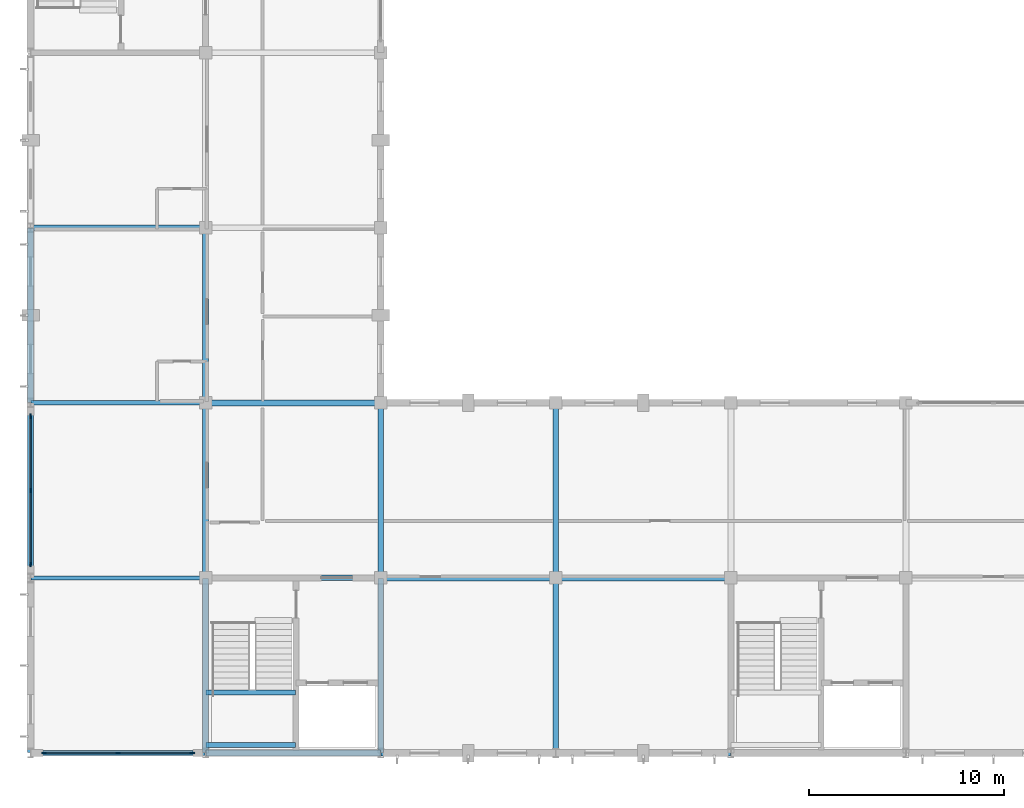
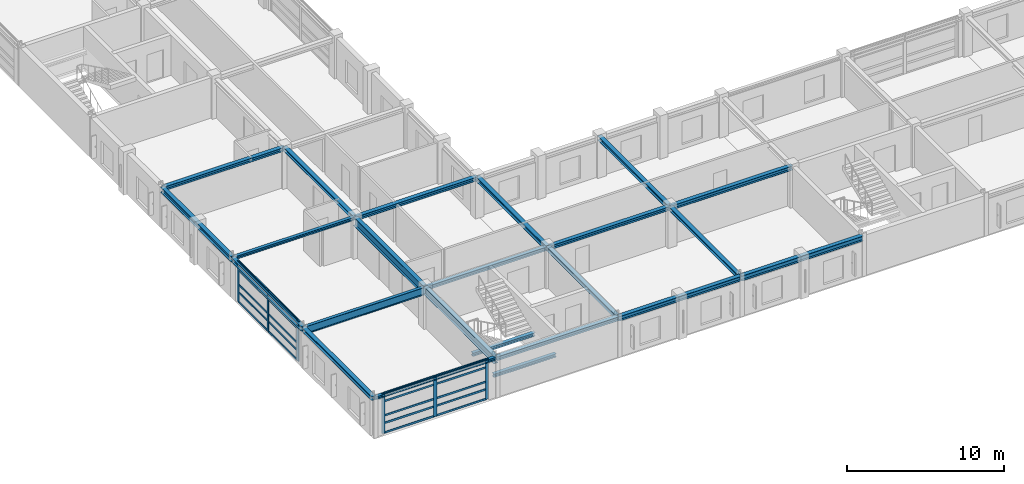
# One storey, part 15 of 91: 26 members, 23 beams, 2 elements without a shape of their own.
"""IFC4 building model written with IfcOpenShell, lengths in metres."""

from ifc_helpers import new_model, si_unit, direction, frame, origin, origin_2d, place, context, subcontext, project, spatial, rectangle, i_section, extrude, material, material_profile, profile_set, type_object, element, aggregate, save


model = new_model("IFC4")

# Units and contexts
model_context = context("Model", 3, precision=1e-05, world=origin(), true_north=direction((0.0, 1.0)))
body_context = subcontext(model_context, "Body", "Model", "MODEL_VIEW")
ifc_project = project(units=[si_unit("LENGTHUNIT", "METRE"), si_unit("AREAUNIT", "SQUARE_METRE"), si_unit("VOLUMEUNIT", "CUBIC_METRE"), si_unit("PLANEANGLEUNIT", "RADIAN"), si_unit("MASSUNIT", "GRAM", prefix="KILO")], contexts=[model_context])

# Site, building, storey
site_placement = place(None, origin())
site = spatial("IfcSite", under=ifc_project, at=site_placement, CompositionType="ELEMENT")
building_placement = place(site_placement, origin())
building = spatial("IfcBuilding", under=site, at=building_placement, Name="Palais des Congres Ocreval", CompositionType="ELEMENT")
storey_placement = place(building_placement, frame((0.0, 0.0, 8.159912109375)))
storey = spatial("IfcBuildingStorey", under=building, at=storey_placement, Name="L02", CompositionType="ELEMENT", Elevation=8.159912109375)

# Beam
ifc_material_1 = material(Name="Steel S355", Category="steel")
ifc_material_profile_1 = material_profile(ifc_material_1, i_section(OverallWidth=0.219970703125, OverallDepth=0.60009765625, WebThickness=0.011962890625, FlangeThickness=0.01904296875, at=origin_2d()), Name="IPE 600")
ifc_profile_set_1 = profile_set([ifc_material_profile_1], Name="Steel S355")
beam_type_1 = type_object("IfcBeamType", Name="Composite Beam IPE 600 Steel S355", PredefinedType="BEAM", material=ifc_profile_set_1)
beam_1_placement = place(storey_placement, frame((0.02001953125, 9.0, 2.800048828125), z_axis=(1.0, 0.0, 0.0), x_axis=(0.0, 1.0, 0.0)))
element("IfcBeam", 1, at=beam_1_placement, inside=storey, type_object=beam_type_1, Name="Beam B06 L02", PredefinedType="BEAM", context=body_context, shape_type="SweptSolid", body=[
    extrude(i_section(OverallWidth=0.219970703125, OverallDepth=0.60009765625, WebThickness=0.011962890625, FlangeThickness=0.01904296875, at=origin_2d()), origin(), (0.0, 0.0, 1.0), 8.9599609375),
])

# Curtain wall, members
ifc_material_2 = material(Name="Anodized bronze aluminium and low-E glass", Category="glass")
curtain_wall_type = type_object("IfcCurtainWallType", Name="Unitised Curtain Wall 7900x3120", PredefinedType="USERDEFINED", material=ifc_material_2)
curtain_wall_1_placement = place(storey_placement, origin())
curtain_wall_1 = element("IfcCurtainWall", 2, at=curtain_wall_1_placement, inside=storey, type_object=curtain_wall_type, Name="Unitised Curtain Wall CW03 L02", ObjectType="UNITISED CURTAIN WALL", PredefinedType="USERDEFINED")
ifc_material_3 = material(Name="Anodized bronze aluminium", Category="aluminium")
ifc_material_profile_2 = material_profile(ifc_material_3, rectangle(XDim=0.074951171875, YDim=0.239990234375, at=origin_2d()), Name="ALU 75x240")
ifc_profile_set_2 = profile_set([ifc_material_profile_2], Name="Anodized bronze aluminium")
member_type_1 = type_object("IfcMemberType", Name="Curtain Wall Mullion ALU 75x240", PredefinedType="MULLION", material=ifc_profile_set_2)
member_1_placement = place(storey_placement, frame((8.3125, 0.0, 0.0), z_axis=(0.0, 0.0, 1.0), x_axis=(0.0, -1.0, 0.0)))
member_1 = element("IfcMember", 3, at=member_1_placement, type_object=member_type_1, Name="Curtain Wall Mullion ML01", PredefinedType="MULLION", context=body_context, shape_type="SweptSolid", body=[
    extrude(rectangle(XDim=0.074951171875, YDim=0.239990234375, at=origin_2d()), origin(), (0.0, 0.0, 1.0), 3.14013671875),
])
member_2_placement = place(storey_placement, frame((4.5, 0.0, 0.0), z_axis=(0.0, 0.0, 1.0), x_axis=(0.0, -1.0, 0.0)))
member_2 = element("IfcMember", 4, at=member_2_placement, type_object=member_type_1, Name="Curtain Wall Mullion ML01", PredefinedType="MULLION", context=body_context, shape_type="SweptSolid", body=[
    extrude(rectangle(XDim=0.074951171875, YDim=0.239990234375, at=origin_2d()), origin(), (0.0, 0.0, 1.0), 3.14013671875),
])
member_3_placement = place(storey_placement, frame((0.6875, 0.0, 0.0), z_axis=(0.0, 0.0, 1.0), x_axis=(0.0, -1.0, 0.0)))
member_3 = element("IfcMember", 5, at=member_3_placement, type_object=member_type_1, Name="Curtain Wall Mullion ML01", PredefinedType="MULLION", context=body_context, shape_type="SweptSolid", body=[
    extrude(rectangle(XDim=0.074951171875, YDim=0.239990234375, at=origin_2d()), origin(), (0.0, 0.0, 1.0), 3.14013671875),
])

curtain_wall_2_placement = place(storey_placement, origin())
curtain_wall_2 = element("IfcCurtainWall", 6, at=curtain_wall_2_placement, inside=storey, type_object=curtain_wall_type, Name="Unitised Curtain Wall CW03 L02", ObjectType="UNITISED CURTAIN WALL", PredefinedType="USERDEFINED")
member_4_placement = place(storey_placement, frame((0.0, 9.6875, 0.0), z_axis=(0.0, 0.0, 1.0), x_axis=(-1.0, 0.0, 0.0)))
member_4 = element("IfcMember", 7, at=member_4_placement, type_object=member_type_1, Name="Curtain Wall Mullion ML01", PredefinedType="MULLION", context=body_context, shape_type="SweptSolid", body=[
    extrude(rectangle(XDim=0.074951171875, YDim=0.239990234375, at=origin_2d()), origin(), (0.0, 0.0, 1.0), 3.14013671875),
])
member_5_placement = place(storey_placement, frame((0.0, 13.5, 0.0), z_axis=(0.0, 0.0, 1.0), x_axis=(-1.0, 0.0, 0.0)))
member_5 = element("IfcMember", 8, at=member_5_placement, type_object=member_type_1, Name="Curtain Wall Mullion ML01", PredefinedType="MULLION", context=body_context, shape_type="SweptSolid", body=[
    extrude(rectangle(XDim=0.074951171875, YDim=0.239990234375, at=origin_2d()), origin(), (0.0, 0.0, 1.0), 3.14013671875),
])
member_6_placement = place(storey_placement, frame((0.0, 17.3125, 0.0), z_axis=(0.0, 0.0, 1.0), x_axis=(-1.0, 0.0, 0.0)))
member_6 = element("IfcMember", 9, at=member_6_placement, type_object=member_type_1, Name="Curtain Wall Mullion ML01", PredefinedType="MULLION", context=body_context, shape_type="SweptSolid", body=[
    extrude(rectangle(XDim=0.074951171875, YDim=0.239990234375, at=origin_2d()), origin(), (0.0, 0.0, 1.0), 3.14013671875),
])

# Member
ifc_material_profile_3 = material_profile(ifc_material_3, rectangle(XDim=0.06005859375, YDim=0.14990234375, at=origin_2d()), Name="ALU 60x150")
ifc_profile_set_3 = profile_set([ifc_material_profile_3], Name="Anodized bronze aluminium")
member_type_2 = type_object("IfcMemberType", Name="Curtain Wall Transom ALU 60x150", PredefinedType="USERDEFINED", material=ifc_profile_set_3)
member_7_placement = place(storey_placement, frame((8.27490234375, 0.0, 0.030029296875), z_axis=(-1.0, 0.0, 0.0), x_axis=(0.0, -1.0, 0.0)))
member_7 = element("IfcMember", 10, at=member_7_placement, type_object=member_type_2, Name="Curtain Wall Transom TR01", ObjectType="TRANSOM", PredefinedType="USERDEFINED", context=body_context, shape_type="SweptSolid", body=[
    extrude(rectangle(XDim=0.06005859375, YDim=0.14990234375, at=origin_2d()), origin(), (0.0, 0.0, 1.0), 3.7373046875),
])

member_8_placement = place(storey_placement, frame((8.27490234375, 0.0, 0.780029296875), z_axis=(-1.0, 0.0, 0.0), x_axis=(0.0, -1.0, 0.0)))
member_8 = element("IfcMember", 11, at=member_8_placement, type_object=member_type_2, Name="Curtain Wall Transom TR01", ObjectType="TRANSOM", PredefinedType="USERDEFINED", context=body_context, shape_type="SweptSolid", body=[
    extrude(rectangle(XDim=0.06005859375, YDim=0.14990234375, at=origin_2d()), origin(), (0.0, 0.0, 1.0), 3.7373046875),
])

member_9_placement = place(storey_placement, frame((8.27490234375, 0.0, 1.36962890625), z_axis=(-1.0, 0.0, 0.0), x_axis=(0.0, -1.0, 0.0)))
member_9 = element("IfcMember", 12, at=member_9_placement, type_object=member_type_2, Name="Curtain Wall Transom TR01", ObjectType="TRANSOM", PredefinedType="USERDEFINED", context=body_context, shape_type="SweptSolid", body=[
    extrude(rectangle(XDim=0.06005859375, YDim=0.14990234375, at=origin_2d()), origin(), (0.0, 0.0, 1.0), 3.7373046875),
])

member_10_placement = place(storey_placement, frame((8.27490234375, 0.0, 2.489990234375), z_axis=(-1.0, 0.0, 0.0), x_axis=(0.0, -1.0, 0.0)))
member_10 = element("IfcMember", 13, at=member_10_placement, type_object=member_type_2, Name="Curtain Wall Transom TR01", ObjectType="TRANSOM", PredefinedType="USERDEFINED", context=body_context, shape_type="SweptSolid", body=[
    extrude(rectangle(XDim=0.06005859375, YDim=0.14990234375, at=origin_2d()), origin(), (0.0, 0.0, 1.0), 3.7373046875),
])

member_11_placement = place(storey_placement, frame((8.27490234375, 0.0, 3.110107421875), z_axis=(-1.0, 0.0, 0.0), x_axis=(0.0, -1.0, 0.0)))
member_11 = element("IfcMember", 14, at=member_11_placement, type_object=member_type_2, Name="Curtain Wall Transom TR01", ObjectType="TRANSOM", PredefinedType="USERDEFINED", context=body_context, shape_type="SweptSolid", body=[
    extrude(rectangle(XDim=0.06005859375, YDim=0.14990234375, at=origin_2d()), origin(), (0.0, 0.0, 1.0), 3.7373046875),
])

member_12_placement = place(storey_placement, frame((4.46240234375, 0.0, 0.030029296875), z_axis=(-1.0, 0.0, 0.0), x_axis=(0.0, -1.0, 0.0)))
member_12 = element("IfcMember", 15, at=member_12_placement, type_object=member_type_2, Name="Curtain Wall Transom TR01", ObjectType="TRANSOM", PredefinedType="USERDEFINED", context=body_context, shape_type="SweptSolid", body=[
    extrude(rectangle(XDim=0.06005859375, YDim=0.14990234375, at=origin_2d()), origin(), (0.0, 0.0, 1.0), 3.7373046875),
])

member_13_placement = place(storey_placement, frame((4.46240234375, 0.0, 0.780029296875), z_axis=(-1.0, 0.0, 0.0), x_axis=(0.0, -1.0, 0.0)))
member_13 = element("IfcMember", 16, at=member_13_placement, type_object=member_type_2, Name="Curtain Wall Transom TR01", ObjectType="TRANSOM", PredefinedType="USERDEFINED", context=body_context, shape_type="SweptSolid", body=[
    extrude(rectangle(XDim=0.06005859375, YDim=0.14990234375, at=origin_2d()), origin(), (0.0, 0.0, 1.0), 3.7373046875),
])

member_14_placement = place(storey_placement, frame((4.46240234375, 0.0, 1.36962890625), z_axis=(-1.0, 0.0, 0.0), x_axis=(0.0, -1.0, 0.0)))
member_14 = element("IfcMember", 17, at=member_14_placement, type_object=member_type_2, Name="Curtain Wall Transom TR01", ObjectType="TRANSOM", PredefinedType="USERDEFINED", context=body_context, shape_type="SweptSolid", body=[
    extrude(rectangle(XDim=0.06005859375, YDim=0.14990234375, at=origin_2d()), origin(), (0.0, 0.0, 1.0), 3.7373046875),
])

member_15_placement = place(storey_placement, frame((4.46240234375, 0.0, 2.489990234375), z_axis=(-1.0, 0.0, 0.0), x_axis=(0.0, -1.0, 0.0)))
member_15 = element("IfcMember", 18, at=member_15_placement, type_object=member_type_2, Name="Curtain Wall Transom TR01", ObjectType="TRANSOM", PredefinedType="USERDEFINED", context=body_context, shape_type="SweptSolid", body=[
    extrude(rectangle(XDim=0.06005859375, YDim=0.14990234375, at=origin_2d()), origin(), (0.0, 0.0, 1.0), 3.7373046875),
])

member_16_placement = place(storey_placement, frame((4.46240234375, 0.0, 3.110107421875), z_axis=(-1.0, 0.0, 0.0), x_axis=(0.0, -1.0, 0.0)))
member_16 = element("IfcMember", 19, at=member_16_placement, type_object=member_type_2, Name="Curtain Wall Transom TR01", ObjectType="TRANSOM", PredefinedType="USERDEFINED", context=body_context, shape_type="SweptSolid", body=[
    extrude(rectangle(XDim=0.06005859375, YDim=0.14990234375, at=origin_2d()), origin(), (0.0, 0.0, 1.0), 3.7373046875),
])

aggregate(curtain_wall_1, [member_1, member_2, member_3, member_7, member_8, member_9, member_10, member_11, member_12, member_13, member_14, member_15, member_16])

member_17_placement = place(storey_placement, frame((0.0, 9.72509765625, 0.030029296875), z_axis=(0.0, 1.0, 0.0), x_axis=(-1.0, 0.0, 0.0)))
member_17 = element("IfcMember", 20, at=member_17_placement, type_object=member_type_2, Name="Curtain Wall Transom TR01", ObjectType="TRANSOM", PredefinedType="USERDEFINED", context=body_context, shape_type="SweptSolid", body=[
    extrude(rectangle(XDim=0.06005859375, YDim=0.14990234375, at=origin_2d()), origin(), (0.0, 0.0, 1.0), 3.7373046875),
])

member_18_placement = place(storey_placement, frame((0.0, 9.72509765625, 0.780029296875), z_axis=(0.0, 1.0, 0.0), x_axis=(-1.0, 0.0, 0.0)))
member_18 = element("IfcMember", 21, at=member_18_placement, type_object=member_type_2, Name="Curtain Wall Transom TR01", ObjectType="TRANSOM", PredefinedType="USERDEFINED", context=body_context, shape_type="SweptSolid", body=[
    extrude(rectangle(XDim=0.06005859375, YDim=0.14990234375, at=origin_2d()), origin(), (0.0, 0.0, 1.0), 3.7373046875),
])

member_19_placement = place(storey_placement, frame((0.0, 9.72509765625, 1.36962890625), z_axis=(0.0, 1.0, 0.0), x_axis=(-1.0, 0.0, 0.0)))
member_19 = element("IfcMember", 22, at=member_19_placement, type_object=member_type_2, Name="Curtain Wall Transom TR01", ObjectType="TRANSOM", PredefinedType="USERDEFINED", context=body_context, shape_type="SweptSolid", body=[
    extrude(rectangle(XDim=0.06005859375, YDim=0.14990234375, at=origin_2d()), origin(), (0.0, 0.0, 1.0), 3.7373046875),
])

member_20_placement = place(storey_placement, frame((0.0, 9.72509765625, 2.489990234375), z_axis=(0.0, 1.0, 0.0), x_axis=(-1.0, 0.0, 0.0)))
member_20 = element("IfcMember", 23, at=member_20_placement, type_object=member_type_2, Name="Curtain Wall Transom TR01", ObjectType="TRANSOM", PredefinedType="USERDEFINED", context=body_context, shape_type="SweptSolid", body=[
    extrude(rectangle(XDim=0.06005859375, YDim=0.14990234375, at=origin_2d()), origin(), (0.0, 0.0, 1.0), 3.7373046875),
])

member_21_placement = place(storey_placement, frame((0.0, 9.72509765625, 3.110107421875), z_axis=(0.0, 1.0, 0.0), x_axis=(-1.0, 0.0, 0.0)))
member_21 = element("IfcMember", 24, at=member_21_placement, type_object=member_type_2, Name="Curtain Wall Transom TR01", ObjectType="TRANSOM", PredefinedType="USERDEFINED", context=body_context, shape_type="SweptSolid", body=[
    extrude(rectangle(XDim=0.06005859375, YDim=0.14990234375, at=origin_2d()), origin(), (0.0, 0.0, 1.0), 3.7373046875),
])

member_22_placement = place(storey_placement, frame((0.0, 13.53759765625, 0.030029296875), z_axis=(0.0, 1.0, 0.0), x_axis=(-1.0, 0.0, 0.0)))
member_22 = element("IfcMember", 25, at=member_22_placement, type_object=member_type_2, Name="Curtain Wall Transom TR01", ObjectType="TRANSOM", PredefinedType="USERDEFINED", context=body_context, shape_type="SweptSolid", body=[
    extrude(rectangle(XDim=0.06005859375, YDim=0.14990234375, at=origin_2d()), origin(), (0.0, 0.0, 1.0), 3.7373046875),
])

member_23_placement = place(storey_placement, frame((0.0, 13.53759765625, 0.780029296875), z_axis=(0.0, 1.0, 0.0), x_axis=(-1.0, 0.0, 0.0)))
member_23 = element("IfcMember", 26, at=member_23_placement, type_object=member_type_2, Name="Curtain Wall Transom TR01", ObjectType="TRANSOM", PredefinedType="USERDEFINED", context=body_context, shape_type="SweptSolid", body=[
    extrude(rectangle(XDim=0.06005859375, YDim=0.14990234375, at=origin_2d()), origin(), (0.0, 0.0, 1.0), 3.7373046875),
])

member_24_placement = place(storey_placement, frame((0.0, 13.53759765625, 1.36962890625), z_axis=(0.0, 1.0, 0.0), x_axis=(-1.0, 0.0, 0.0)))
member_24 = element("IfcMember", 27, at=member_24_placement, type_object=member_type_2, Name="Curtain Wall Transom TR01", ObjectType="TRANSOM", PredefinedType="USERDEFINED", context=body_context, shape_type="SweptSolid", body=[
    extrude(rectangle(XDim=0.06005859375, YDim=0.14990234375, at=origin_2d()), origin(), (0.0, 0.0, 1.0), 3.7373046875),
])

member_25_placement = place(storey_placement, frame((0.0, 13.53759765625, 2.489990234375), z_axis=(0.0, 1.0, 0.0), x_axis=(-1.0, 0.0, 0.0)))
member_25 = element("IfcMember", 28, at=member_25_placement, type_object=member_type_2, Name="Curtain Wall Transom TR01", ObjectType="TRANSOM", PredefinedType="USERDEFINED", context=body_context, shape_type="SweptSolid", body=[
    extrude(rectangle(XDim=0.06005859375, YDim=0.14990234375, at=origin_2d()), origin(), (0.0, 0.0, 1.0), 3.7373046875),
])

member_26_placement = place(storey_placement, frame((0.0, 13.53759765625, 3.110107421875), z_axis=(0.0, 1.0, 0.0), x_axis=(-1.0, 0.0, 0.0)))
member_26 = element("IfcMember", 29, at=member_26_placement, type_object=member_type_2, Name="Curtain Wall Transom TR01", ObjectType="TRANSOM", PredefinedType="USERDEFINED", context=body_context, shape_type="SweptSolid", body=[
    extrude(rectangle(XDim=0.06005859375, YDim=0.14990234375, at=origin_2d()), origin(), (0.0, 0.0, 1.0), 3.7373046875),
])

aggregate(curtain_wall_2, [member_4, member_5, member_6, member_17, member_18, member_19, member_20, member_21, member_22, member_23, member_24, member_25, member_26])

# Beams
ifc_material_profile_4 = material_profile(ifc_material_1, i_section(OverallWidth=0.260009765625, OverallDepth=0.260009765625, WebThickness=0.010009765625, FlangeThickness=0.017578125, at=origin_2d()), Name="HEB 260")
ifc_profile_set_4 = profile_set([ifc_material_profile_4], Name="Steel S355")
beam_type_2 = type_object("IfcBeamType", Name="Opening Lintel HEB 260 Steel S355", PredefinedType="LINTEL", material=ifc_profile_set_4)
for number, where, z_axis, x_axis, name in (
    (30, (9.02001953125, 0.419921875, 1.35009765625), (1.0, 0.0, 0.0), (0.0, 1.0, 0.0), "Stair Landing Support Beam ST01 L02-1"),
    (31, (9.02001953125, 3.1201171875, 1.35009765625), (1.0, 0.0, 0.0), (0.0, 1.0, 0.0), "Stair Landing Support Beam ST01 L02-2"),
):
    element("IfcBeam", number, at=place(storey_placement, frame(where, z_axis=z_axis, x_axis=x_axis)), inside=storey, type_object=beam_type_2, Name=name, PredefinedType="LINTEL", context=body_context, shape_type="SweptSolid", body=[
        extrude(i_section(OverallWidth=0.260009765625, OverallDepth=0.260009765625, WebThickness=0.010009765625, FlangeThickness=0.017578125, at=origin_2d()), origin(), (0.0, 0.0, 1.0), 4.60986328125),
    ])
ifc_material_profile_5 = material_profile(ifc_material_1, i_section(OverallWidth=0.239990234375, OverallDepth=0.22998046875, WebThickness=0.007568359375, FlangeThickness=0.011962890625, at=origin_2d()), Name="HEA 240")
ifc_profile_set_5 = profile_set([ifc_material_profile_5], Name="Steel S355")
beam_type_3 = type_object("IfcBeamType", Name="Perimeter Spandrel HEA 240 Steel S355", PredefinedType="SPANDREL", material=ifc_profile_set_5)
for number, where, z_axis, x_axis, name in (
    (32, (0.02001953125, 0.0, 2.985107421875), (1.0, 0.0, 0.0), (0.0, 1.0, 0.0), "Beam SP01 L02"),
    (33, (0.02001953125, 18.0, 2.985107421875), (1.0, 0.0, 0.0), (0.0, 1.0, 0.0), "Beam SP01 L02"),
):
    element("IfcBeam", number, at=place(storey_placement, frame(where, z_axis=z_axis, x_axis=x_axis)), inside=storey, type_object=beam_type_3, Name=name, PredefinedType="SPANDREL", context=body_context, shape_type="SweptSolid", body=[
        extrude(i_section(OverallWidth=0.239990234375, OverallDepth=0.22998046875, WebThickness=0.007568359375, FlangeThickness=0.011962890625, at=origin_2d()), origin(), (0.0, 0.0, 1.0), 8.9599609375),
    ])
ifc_material_profile_6 = material_profile(ifc_material_1, i_section(OverallWidth=0.300048828125, OverallDepth=0.300048828125, WebThickness=0.010986328125, FlangeThickness=0.01904296875, at=origin_2d()), Name="HEB 300")
ifc_profile_set_6 = profile_set([ifc_material_profile_6], Name="Steel S355")
beam_type_4 = type_object("IfcBeamType", Name="Perimeter Spandrel HEB 300 Steel S355", PredefinedType="SPANDREL", material=ifc_profile_set_6)
for number, where, z_axis, x_axis, name in (
    (34, (0.0, 0.02001953125, 2.9501953125), (0.0, 1.0, 0.0), (-1.0, 0.0, 0.0), "Girder SP02 L02"),
    (35, (9.02001953125, 0.0, 2.9501953125), (1.0, 0.0, 0.0), (0.0, 1.0, 0.0), "Beam SP02 L02"),
    (36, (9.02001953125, 18.0, 2.9501953125), (1.0, 0.0, 0.0), (0.0, 1.0, 0.0), "Beam SP02 L02"),
    (37, (18.0, 0.02001953125, 2.9501953125), (0.0, 1.0, 0.0), (-1.0, 0.0, 0.0), "Girder SP02 L02"),
):
    element("IfcBeam", number, at=place(storey_placement, frame(where, z_axis=z_axis, x_axis=x_axis)), inside=storey, type_object=beam_type_4, Name=name, PredefinedType="SPANDREL", context=body_context, shape_type="SweptSolid", body=[
        extrude(i_section(OverallWidth=0.300048828125, OverallDepth=0.300048828125, WebThickness=0.010986328125, FlangeThickness=0.01904296875, at=origin_2d()), origin(), (0.0, 0.0, 1.0), 8.9599609375),
    ])
ifc_material_profile_7 = material_profile(ifc_material_1, i_section(OverallWidth=0.300048828125, OverallDepth=0.360107421875, WebThickness=0.012451171875, FlangeThickness=0.0224609375, at=origin_2d()), Name="HEB 360")
ifc_profile_set_7 = profile_set([ifc_material_profile_7], Name="Steel S355")
beam_type_5 = type_object("IfcBeamType", Name="Perimeter Spandrel HEB 360 Steel S355", PredefinedType="SPANDREL", material=ifc_profile_set_7)
for number, where, z_axis, x_axis, name in (
    (38, (0.0, 9.02001953125, 2.920166015625), (0.0, 1.0, 0.0), (-1.0, 0.0, 0.0), "Girder SP03 L02"),
    (39, (18.02001953125, 0.0, 2.920166015625), (1.0, 0.0, 0.0), (0.0, 1.0, 0.0), "Beam SP03 L02"),
    (40, (18.0, 9.02001953125, 2.920166015625), (0.0, 1.0, 0.0), (-1.0, 0.0, 0.0), "Girder SP03 L02"),
):
    element("IfcBeam", number, at=place(storey_placement, frame(where, z_axis=z_axis, x_axis=x_axis)), inside=storey, type_object=beam_type_5, Name=name, PredefinedType="SPANDREL", context=body_context, shape_type="SweptSolid", body=[
        extrude(i_section(OverallWidth=0.300048828125, OverallDepth=0.360107421875, WebThickness=0.012451171875, FlangeThickness=0.0224609375, at=origin_2d()), origin(), (0.0, 0.0, 1.0), 8.9599609375),
    ])
ifc_material_profile_8 = material_profile(ifc_material_1, i_section(OverallWidth=0.300048828125, OverallDepth=0.39990234375, WebThickness=0.013427734375, FlangeThickness=0.02392578125, at=origin_2d()), Name="HEB 400")
ifc_profile_set_8 = profile_set([ifc_material_profile_8], Name="Steel S355")
beam_type_6 = type_object("IfcBeamType", Name="Perimeter Spandrel HEB 400 Steel S355", PredefinedType="SPANDREL", material=ifc_profile_set_8)
for number, where, z_axis, x_axis, name in (
    (41, (0.0, 18.02001953125, 2.900146484375), (0.0, 1.0, 0.0), (-1.0, 0.0, 0.0), "Girder SP04 L02"),
    (42, (27.02001953125, 0.0, 2.900146484375), (1.0, 0.0, 0.0), (0.0, 1.0, 0.0), "Beam SP04 L02"),
):
    element("IfcBeam", number, at=place(storey_placement, frame(where, z_axis=z_axis, x_axis=x_axis)), inside=storey, type_object=beam_type_6, Name=name, PredefinedType="SPANDREL", context=body_context, shape_type="SweptSolid", body=[
        extrude(i_section(OverallWidth=0.300048828125, OverallDepth=0.39990234375, WebThickness=0.013427734375, FlangeThickness=0.02392578125, at=origin_2d()), origin(), (0.0, 0.0, 1.0), 8.9599609375),
    ])
ifc_material_profile_9 = material_profile(ifc_material_1, i_section(OverallWidth=0.280029296875, OverallDepth=0.27001953125, WebThickness=0.008056640625, FlangeThickness=0.012939453125, at=origin_2d()), Name="HEA 280")
ifc_profile_set_9 = profile_set([ifc_material_profile_9], Name="Steel S355")
beam_type_7 = type_object("IfcBeamType", Name="Primary Beam HEA 280 Steel S355", PredefinedType="BEAM", material=ifc_profile_set_9)
beam_2_placement = place(storey_placement, frame((9.02001953125, 9.0, 2.965087890625), z_axis=(1.0, 0.0, 0.0), x_axis=(0.0, 1.0, 0.0)))
element("IfcBeam", 43, at=beam_2_placement, inside=storey, type_object=beam_type_7, Name="Beam B07 L02", PredefinedType="BEAM", context=body_context, shape_type="SweptSolid", body=[
    extrude(i_section(OverallWidth=0.280029296875, OverallDepth=0.27001953125, WebThickness=0.008056640625, FlangeThickness=0.012939453125, at=origin_2d()), origin(), (0.0, 0.0, 1.0), 8.9599609375),
])
ifc_material_profile_10 = material_profile(ifc_material_1, i_section(OverallWidth=0.300048828125, OverallDepth=0.2900390625, WebThickness=0.008544921875, FlangeThickness=0.013916015625, at=origin_2d()), Name="HEA 300")
ifc_profile_set_10 = profile_set([ifc_material_profile_10], Name="Steel S355")
beam_type_8 = type_object("IfcBeamType", Name="Primary Beam HEA 300 Steel S355", PredefinedType="BEAM", material=ifc_profile_set_10)
for number, where, z_axis, x_axis, name in (
    (44, (0.02001953125, 27.0, 2.955078125), (1.0, 0.0, 0.0), (0.0, 1.0, 0.0), "Beam B08 L02"),
    (45, (9.0, 18.02001953125, 2.955078125), (0.0, 1.0, 0.0), (-1.0, 0.0, 0.0), "Girder B08 L02"),
    (46, (18.02001953125, 9.0, 2.955078125), (1.0, 0.0, 0.0), (0.0, 1.0, 0.0), "Beam B08 L02"),
    (47, (27.0, 0.02001953125, 2.955078125), (0.0, 1.0, 0.0), (-1.0, 0.0, 0.0), "Girder B08 L02"),
):
    element("IfcBeam", number, at=place(storey_placement, frame(where, z_axis=z_axis, x_axis=x_axis)), inside=storey, type_object=beam_type_8, Name=name, PredefinedType="BEAM", context=body_context, shape_type="SweptSolid", body=[
        extrude(i_section(OverallWidth=0.300048828125, OverallDepth=0.2900390625, WebThickness=0.008544921875, FlangeThickness=0.013916015625, at=origin_2d()), origin(), (0.0, 0.0, 1.0), 8.9599609375),
    ])
ifc_material_profile_11 = material_profile(ifc_material_1, i_section(OverallWidth=0.300048828125, OverallDepth=0.330078125, WebThickness=0.009521484375, FlangeThickness=0.0166015625, at=origin_2d()), Name="HEA 340")
ifc_profile_set_11 = profile_set([ifc_material_profile_11], Name="Steel S355")
beam_type_9 = type_object("IfcBeamType", Name="Primary Beam HEA 340 Steel S355", PredefinedType="BEAM", material=ifc_profile_set_11)
for number, where, z_axis, x_axis, name in (
    (48, (27.02001953125, 9.0, 2.93505859375), (1.0, 0.0, 0.0), (0.0, 1.0, 0.0), "Beam B09 L02"),
    (49, (27.0, 9.02001953125, 2.93505859375), (0.0, 1.0, 0.0), (-1.0, 0.0, 0.0), "Girder B09 L02"),
):
    element("IfcBeam", number, at=place(storey_placement, frame(where, z_axis=z_axis, x_axis=x_axis)), inside=storey, type_object=beam_type_9, Name=name, PredefinedType="BEAM", context=body_context, shape_type="SweptSolid", body=[
        extrude(i_section(OverallWidth=0.300048828125, OverallDepth=0.330078125, WebThickness=0.009521484375, FlangeThickness=0.0166015625, at=origin_2d()), origin(), (0.0, 0.0, 1.0), 8.9599609375),
    ])
ifc_material_profile_12 = material_profile(ifc_material_1, i_section(OverallWidth=0.300048828125, OverallDepth=0.590087890625, WebThickness=0.012939453125, FlangeThickness=0.02490234375, at=origin_2d()), Name="HEA 600")
ifc_profile_set_12 = profile_set([ifc_material_profile_12], Name="Steel S355")
beam_type_10 = type_object("IfcBeamType", Name="Primary Girder HEA 600 Steel S355", PredefinedType="BEAM", material=ifc_profile_set_12)
beam_3_placement = place(storey_placement, frame((9.0, 0.02001953125, 2.80517578125), z_axis=(0.0, 1.0, 0.0), x_axis=(-1.0, 0.0, 0.0)))
element("IfcBeam", 50, at=beam_3_placement, inside=storey, type_object=beam_type_10, Name="Girder B13 L02", PredefinedType="BEAM", context=body_context, shape_type="SweptSolid", body=[
    extrude(i_section(OverallWidth=0.300048828125, OverallDepth=0.590087890625, WebThickness=0.012939453125, FlangeThickness=0.02490234375, at=origin_2d()), origin(), (0.0, 0.0, 1.0), 8.9599609375),
])
ifc_material_profile_13 = material_profile(ifc_material_1, i_section(OverallWidth=0.300048828125, OverallDepth=0.68994140625, WebThickness=0.014404296875, FlangeThickness=0.027099609375, at=origin_2d()), Name="HEA 700")
ifc_profile_set_13 = profile_set([ifc_material_profile_13], Name="Steel S355")
beam_type_11 = type_object("IfcBeamType", Name="Primary Girder HEA 700 Steel S355", PredefinedType="BEAM", material=ifc_profile_set_13)
beam_4_placement = place(storey_placement, frame((9.0, 9.02001953125, 2.755126953125), z_axis=(0.0, 1.0, 0.0), x_axis=(-1.0, 0.0, 0.0)))
element("IfcBeam", 51, at=beam_4_placement, inside=storey, type_object=beam_type_11, Name="Girder B14 L02", PredefinedType="BEAM", context=body_context, shape_type="SweptSolid", body=[
    extrude(i_section(OverallWidth=0.300048828125, OverallDepth=0.68994140625, WebThickness=0.014404296875, FlangeThickness=0.027099609375, at=origin_2d()), origin(), (0.0, 0.0, 1.0), 8.9599609375),
])

save(model, "model.ifc")
